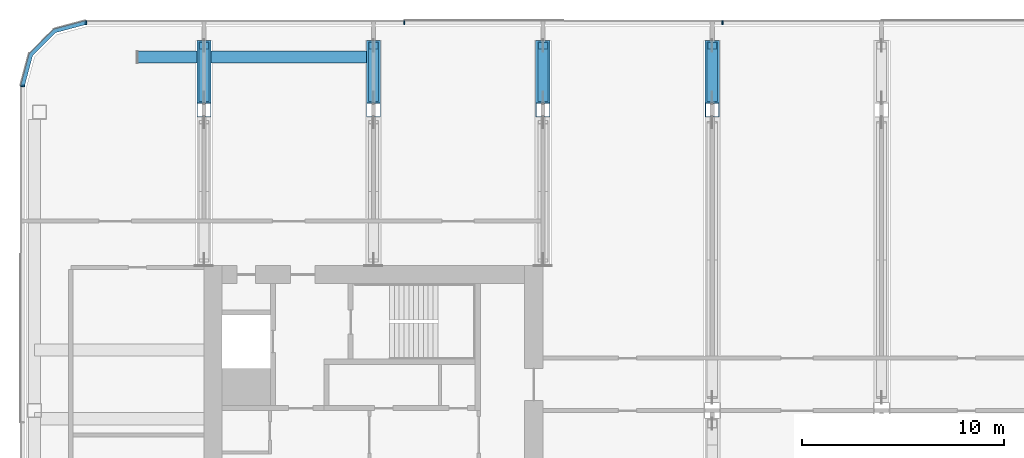
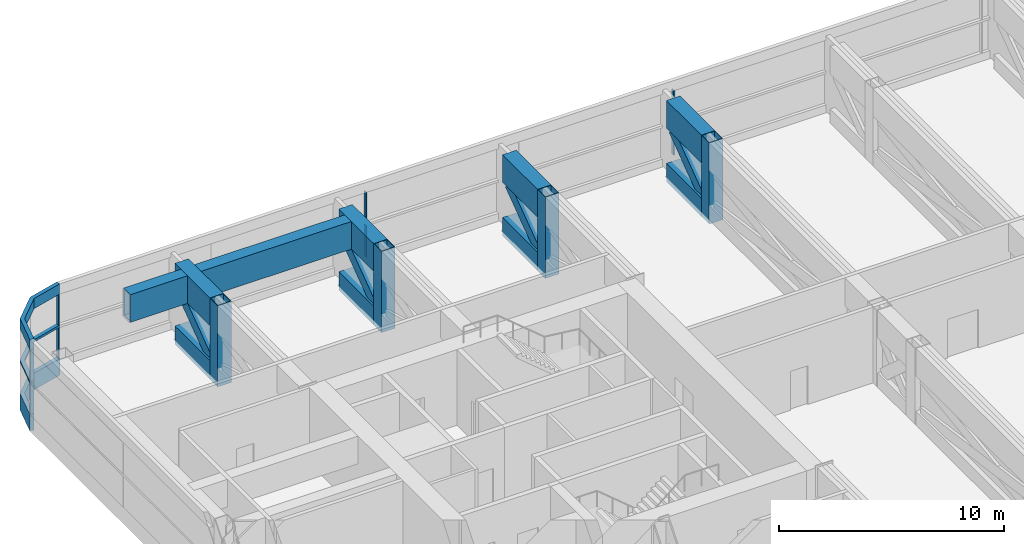
# One storey, part 8 of 33: 27 members, 1 beam, 3 elements without a shape of their own.
"""IFC4 building model written with IfcOpenShell, lengths in metres."""

from ifc_helpers import new_model, si_unit, direction, frame, origin, origin_2d, place, context, subcontext, project, spatial, polyline, rectangle, hollow_rectangle, outline, extrude, material, layer, layer_set, material_profile, profile_set, type_object, element, aggregate, save


model = new_model("IFC4")

# Units and contexts
model_context = context("Model", 3, precision=1e-05, world=origin(), true_north=direction((0.0, 1.0)))
body_context = subcontext(model_context, "Body", "Model", "MODEL_VIEW")
ifc_project = project(units=[si_unit("LENGTHUNIT", "METRE"), si_unit("AREAUNIT", "SQUARE_METRE"), si_unit("VOLUMEUNIT", "CUBIC_METRE"), si_unit("PLANEANGLEUNIT", "RADIAN"), si_unit("MASSUNIT", "GRAM", prefix="KILO")], contexts=[model_context])

# Site, building, storey
site_placement = place(None, origin())
site = spatial("IfcSite", under=ifc_project, at=site_placement, CompositionType="ELEMENT")
building_placement = place(site_placement, origin())
building = spatial("IfcBuilding", under=site, at=building_placement, Name="Hakoniwa Tower and Hamabe Station Hall", CompositionType="ELEMENT")
storey_placement = place(building_placement, frame((0.0, 0.0, 175.800048828125)))
storey = spatial("IfcBuildingStorey", under=building, at=storey_placement, Name="L50", CompositionType="ELEMENT", Elevation=175.800048828125)

# Curtain wall, members
ifc_material_1 = material(Name="Dark low-e laminated glass", Category="glass")
ifc_layer = layer(ifc_material_1, 0.199951171875)
ifc_layer_set = layer_set([ifc_layer], Name="CW-6 PLANT LOUVRE")
curtain_wall_type = type_object("IfcCurtainWallType", Name="CW-6 PLANT LOUVRE", PredefinedType="NOTDEFINED", material=ifc_layer_set)
curtain_wall_1_placement = place(storey_placement, origin())
curtain_wall_1 = element("IfcCurtainWall", 1, at=curtain_wall_1_placement, inside=storey, type_object=curtain_wall_type, Name="CW-6 curtain wall", PredefinedType="NOTDEFINED")
ifc_material_2 = material(Name="Aluminium 6063-T5 black anodised", Category="aluminium")
ifc_material_profile_1 = material_profile(ifc_material_2, rectangle(XDim=0.199951171875, YDim=0.550048828125, at=origin_2d()), Name="CW HEAD BAND 550X200")
ifc_profile_set_1 = profile_set([ifc_material_profile_1], Name="Aluminium 6063-T5 black anodised")
member_type_1 = type_object("IfcMemberType", Name="CW HEAD BAND 550X200", PredefinedType="USERDEFINED", material=ifc_profile_set_1)
member_1_placement = place(storey_placement, frame((0.0, 0.0, 3.849853515625)))
member_1 = element("IfcMember", 2, at=member_1_placement, type_object=member_type_1, Name="CW-6 transom", ObjectType="TRANSOM", PredefinedType="USERDEFINED", context=body_context, shape_type="SweptSolid", body=[
    extrude(outline(polyline([(-39.439453125, 20.550048828125), (-41.05517578125, 20.116943359375), (-42.26708984375, 18.9052734375), (-42.699951171875, 17.28955078125), (-42.5068359375, 17.23779296875), (-42.087646484375, 18.8017578125), (-40.95166015625, 19.937744140625), (-39.3876953125, 20.35693359375), (-39.439453125, 20.550048828125)])), origin(), (0.0, 0.0, 1.0), 0.550048828125),
])
ifc_material_3 = material(Name="Aluminium 6063-T5 black anodised", Category="aluminium")
ifc_material_profile_2 = material_profile(ifc_material_3, rectangle(XDim=0.199951171875, YDim=0.1201171875, at=origin_2d()), Name="CW MID TRANSOM 120X200")
ifc_profile_set_2 = profile_set([ifc_material_profile_2], Name="Aluminium 6063-T5 black anodised")
member_type_2 = type_object("IfcMemberType", Name="CW MID TRANSOM 120X200", PredefinedType="USERDEFINED", material=ifc_profile_set_2)
member_2_placement = place(storey_placement, frame((0.0, 0.0, 2.0400390625)))
member_2 = element("IfcMember", 3, at=member_2_placement, type_object=member_type_2, Name="CW-6 transom", ObjectType="TRANSOM", PredefinedType="USERDEFINED", context=body_context, shape_type="SweptSolid", body=[
    extrude(outline(polyline([(-39.439453125, 20.550048828125), (-41.05517578125, 20.116943359375), (-42.26708984375, 18.9052734375), (-42.699951171875, 17.28955078125), (-42.5068359375, 17.23779296875), (-42.087646484375, 18.8017578125), (-40.95166015625, 19.937744140625), (-39.3876953125, 20.35693359375), (-39.439453125, 20.550048828125)])), origin(), (0.0, 0.0, 1.0), 0.119873046875),
])
ifc_material_4 = material(Name="Aluminium 6063-T5 black anodised", Category="aluminium")
ifc_material_profile_3 = material_profile(ifc_material_4, rectangle(XDim=0.199951171875, YDim=0.89990234375, at=origin_2d()), Name="CW SLAB-EDGE BAND 900X200")
ifc_profile_set_3 = profile_set([ifc_material_profile_3], Name="Aluminium 6063-T5 black anodised")
member_type_3 = type_object("IfcMemberType", Name="CW SLAB-EDGE BAND 900X200", PredefinedType="USERDEFINED", material=ifc_profile_set_3)
member_3_placement = place(storey_placement, frame((0.0, 0.0, -0.550048828125)))
member_3 = element("IfcMember", 4, at=member_3_placement, type_object=member_type_3, Name="CW-6 transom", ObjectType="TRANSOM", PredefinedType="USERDEFINED", context=body_context, shape_type="SweptSolid", body=[
    extrude(outline(polyline([(-39.439453125, 20.550048828125), (-41.05517578125, 20.116943359375), (-42.26708984375, 18.9052734375), (-42.699951171875, 17.28955078125), (-42.5068359375, 17.23779296875), (-42.087646484375, 18.8017578125), (-40.95166015625, 19.937744140625), (-39.3876953125, 20.35693359375), (-39.439453125, 20.550048828125)])), origin(), (0.0, 0.0, 1.0), 0.89990234375),
])
aggregate(curtain_wall_1, [member_3, member_2, member_1])

curtain_wall_2_placement = place(storey_placement, origin())
curtain_wall_2 = element("IfcCurtainWall", 5, at=curtain_wall_2_placement, inside=storey, type_object=curtain_wall_type, Name="CW-6 curtain wall", PredefinedType="NOTDEFINED")
ifc_material_5 = material(Name="Aluminium 6063-T5 black anodised", Category="aluminium")
ifc_material_profile_4 = material_profile(ifc_material_5, rectangle(XDim=0.06005859375, YDim=0.179931640625, at=origin_2d()), Name="CW-1 MULLION 60X180")
ifc_profile_set_4 = profile_set([ifc_material_profile_4], Name="Aluminium 6063-T5 black anodised")
member_type_4 = type_object("IfcMemberType", Name="CW-1 MULLION 60X180", PredefinedType="MULLION", material=ifc_profile_set_4)
member_4_placement = place(storey_placement, frame((-7.887939453125, 20.431884765625, 0.349853515625), z_axis=(0.0, 0.0, 1.0), x_axis=(-1.0, 0.0, 0.0)))
member_4 = element("IfcMember", 6, at=member_4_placement, type_object=member_type_4, Name="CW-6 mullion", PredefinedType="MULLION", context=body_context, shape_type="SweptSolid", body=[
    extrude(rectangle(XDim=0.06005859375, YDim=0.179931640625, at=origin_2d()), origin(), (0.0, 0.0, 1.0), 1.690185546875),
])
member_5_placement = place(storey_placement, frame((-7.887939453125, 20.431884765625, 2.159912109375), z_axis=(0.0, 0.0, 1.0), x_axis=(-1.0, 0.0, 0.0)))
member_5 = element("IfcMember", 7, at=member_5_placement, type_object=member_type_4, Name="CW-6 mullion", PredefinedType="MULLION", context=body_context, shape_type="SweptSolid", body=[
    extrude(rectangle(XDim=0.06005859375, YDim=0.179931640625, at=origin_2d()), origin(), (0.0, 0.0, 1.0), 1.68994140625),
])
member_6_placement = place(storey_placement, frame((-23.663818359375, 20.431884765625, 0.349853515625), z_axis=(0.0, 0.0, 1.0), x_axis=(-1.0, 0.0, 0.0)))
member_6 = element("IfcMember", 8, at=member_6_placement, type_object=member_type_4, Name="CW-6 mullion", PredefinedType="MULLION", context=body_context, shape_type="SweptSolid", body=[
    extrude(rectangle(XDim=0.06005859375, YDim=0.179931640625, at=origin_2d()), origin(), (0.0, 0.0, 1.0), 1.690185546875),
])
member_7_placement = place(storey_placement, frame((-23.663818359375, 20.431884765625, 2.159912109375), z_axis=(0.0, 0.0, 1.0), x_axis=(-1.0, 0.0, 0.0)))
member_7 = element("IfcMember", 9, at=member_7_placement, type_object=member_type_4, Name="CW-6 mullion", PredefinedType="MULLION", context=body_context, shape_type="SweptSolid", body=[
    extrude(rectangle(XDim=0.06005859375, YDim=0.179931640625, at=origin_2d()), origin(), (0.0, 0.0, 1.0), 1.68994140625),
])
member_8_placement = place(storey_placement, frame((-39.439453125, 20.431884765625, 0.349853515625), z_axis=(0.0, 0.0, 1.0), x_axis=(-1.0, 0.0, 0.0)))
member_8 = element("IfcMember", 10, at=member_8_placement, type_object=member_type_4, Name="CW-6 mullion", PredefinedType="MULLION", context=body_context, shape_type="SweptSolid", body=[
    extrude(rectangle(XDim=0.06005859375, YDim=0.179931640625, at=origin_2d()), origin(), (0.0, 0.0, 1.0), 1.690185546875),
])
member_9_placement = place(storey_placement, frame((-39.439453125, 20.431884765625, 2.159912109375), z_axis=(0.0, 0.0, 1.0), x_axis=(-1.0, 0.0, 0.0)))
member_9 = element("IfcMember", 11, at=member_9_placement, type_object=member_type_4, Name="CW-6 mullion", PredefinedType="MULLION", context=body_context, shape_type="SweptSolid", body=[
    extrude(rectangle(XDim=0.06005859375, YDim=0.179931640625, at=origin_2d()), origin(), (0.0, 0.0, 1.0), 1.68994140625),
])
aggregate(curtain_wall_2, [member_4, member_5, member_6, member_7, member_8, member_9])

curtain_wall_3_placement = place(storey_placement, origin())
curtain_wall_3 = element("IfcCurtainWall", 12, at=curtain_wall_3_placement, inside=storey, type_object=curtain_wall_type, Name="CW-6 curtain wall", PredefinedType="NOTDEFINED")
member_10_placement = place(storey_placement, frame((-42.58203125, 17.28955078125, 0.349853515625), z_axis=(0.0, 0.0, 1.0), x_axis=(0.0, -1.0, 0.0)))
member_10 = element("IfcMember", 13, at=member_10_placement, type_object=member_type_4, Name="CW-6 mullion", PredefinedType="MULLION", context=body_context, shape_type="SweptSolid", body=[
    extrude(rectangle(XDim=0.06005859375, YDim=0.179931640625, at=origin_2d()), origin(), (0.0, 0.0, 1.0), 1.690185546875),
])
member_11_placement = place(storey_placement, frame((-42.58203125, 17.28955078125, 2.159912109375), z_axis=(0.0, 0.0, 1.0), x_axis=(0.0, -1.0, 0.0)))
member_11 = element("IfcMember", 14, at=member_11_placement, type_object=member_type_4, Name="CW-6 mullion", PredefinedType="MULLION", context=body_context, shape_type="SweptSolid", body=[
    extrude(rectangle(XDim=0.06005859375, YDim=0.179931640625, at=origin_2d()), origin(), (0.0, 0.0, 1.0), 1.68994140625),
])
aggregate(curtain_wall_3, [member_10, member_11])

# Beam
ifc_material_6 = material(Name="Steel SN490C", Category="steel")
ifc_material_profile_5 = material_profile(ifc_material_6, hollow_rectangle(XDim=0.60009765625, YDim=1.5, WallThickness=0.054931640625, at=origin_2d()), Name="BX-1500x600x55")
ifc_profile_set_5 = profile_set([ifc_material_profile_5], Name="Steel SN490C")
beam_type = type_object("IfcBeamType", Name="TRANSFER GIRDER BX-1500x600x55", PredefinedType="BEAM", material=ifc_profile_set_5)
beam_placement = place(storey_placement, frame((-36.8779296875, 18.72802734375, 3.349853515625), z_axis=(1.0, 0.0, 0.0), x_axis=(0.0, 1.0, 0.0)))
element("IfcBeam", 15, at=beam_placement, inside=storey, type_object=beam_type, Name="Truss L50-XG7", PredefinedType="BEAM", context=body_context, shape_type="SweptSolid", body=[
    extrude(hollow_rectangle(XDim=0.60009765625, YDim=1.5, WallThickness=0.054931640625, at=origin_2d()), origin(), (0.0, 0.0, 1.0), 11.677978515625),
])

# Members
ifc_material_7 = material(Name="Steel SN490C", Category="steel")
ifc_material_profile_6 = material_profile(ifc_material_7, hollow_rectangle(XDim=0.699951171875, YDim=1.0, WallThickness=0.0400390625, at=origin_2d()), Name="BX-1000x700x40")
ifc_profile_set_6 = profile_set([ifc_material_profile_6], Name="Steel SN490C")
member_type_5 = type_object("IfcMemberType", Name="TRUSS CHORD BX-1000x700x40", PredefinedType="CHORD", material=ifc_profile_set_6)
for number, where, z_axis, x_axis, name in (
    (16, (-33.60009765625, 16.449951171875, 0.199951171875), (0.0, 1.0, 0.0), (-1.0, 0.0, 0.0), "Truss T3-06-BCH"),
    (17, (-25.199951171875, 16.449951171875, 0.199951171875), (0.0, 1.0, 0.0), (-1.0, 0.0, 0.0), "Truss T3-08-BCH"),
    (18, (-16.800048828125, 16.449951171875, 0.199951171875), (0.0, 1.0, 0.0), (-1.0, 0.0, 0.0), "Truss T3-10-BCH"),
    (19, (-8.39990234375, 16.449951171875, 0.199951171875), (0.0, 1.0, 0.0), (-1.0, 0.0, 0.0), "Truss T3-11-BCH"),
):
    element("IfcMember", number, at=place(storey_placement, frame(where, z_axis=z_axis, x_axis=x_axis)), inside=storey, type_object=member_type_5, Name=name, PredefinedType="CHORD", context=body_context, shape_type="SweptSolid", body=[
        extrude(hollow_rectangle(XDim=0.699951171875, YDim=1.0, WallThickness=0.0400390625, at=origin_2d()), origin(), (0.0, 0.0, 1.0), 3.10009765625),
    ])
ifc_material_8 = material(Name="Steel SN490C", Category="steel")
ifc_material_profile_7 = material_profile(ifc_material_8, hollow_rectangle(XDim=0.699951171875, YDim=1.5, WallThickness=0.054931640625, at=origin_2d()), Name="BX-1500x700x55")
ifc_profile_set_7 = profile_set([ifc_material_profile_7], Name="Steel SN490C")
member_type_6 = type_object("IfcMemberType", Name="TRUSS CHORD BX-1500x700x55", PredefinedType="CHORD", material=ifc_profile_set_7)
for number, where, z_axis, x_axis, name in (
    (20, (-33.60009765625, 16.449951171875, 3.349853515625), (0.0, 1.0, 0.0), (-1.0, 0.0, 0.0), "Truss T3-06-TCH"),
    (21, (-25.199951171875, 16.449951171875, 3.349853515625), (0.0, 1.0, 0.0), (-1.0, 0.0, 0.0), "Truss T3-08-TCH"),
    (22, (-16.800048828125, 16.449951171875, 3.349853515625), (0.0, 1.0, 0.0), (-1.0, 0.0, 0.0), "Truss T3-10-TCH"),
    (23, (-8.39990234375, 16.449951171875, 3.349853515625), (0.0, 1.0, 0.0), (-1.0, 0.0, 0.0), "Truss T3-11-TCH"),
):
    element("IfcMember", number, at=place(storey_placement, frame(where, z_axis=z_axis, x_axis=x_axis)), inside=storey, type_object=member_type_6, Name=name, PredefinedType="CHORD", context=body_context, shape_type="SweptSolid", body=[
        extrude(hollow_rectangle(XDim=0.699951171875, YDim=1.5, WallThickness=0.054931640625, at=origin_2d()), origin(), (0.0, 0.0, 1.0), 3.10009765625),
    ])
ifc_material_9 = material(Name="Steel SN490C", Category="steel")
ifc_material_profile_8 = material_profile(ifc_material_9, hollow_rectangle(XDim=0.5, YDim=0.60009765625, WallThickness=0.028076171875, at=origin_2d()), Name="BX-600x500x28")
ifc_profile_set_8 = profile_set([ifc_material_profile_8], Name="Steel SN490C")
member_type_7 = type_object("IfcMemberType", Name="TRUSS DIAGONAL BX-600x500x28", PredefinedType="BRACE", material=ifc_profile_set_8)
for number, where, z_axis, x_axis, name in (
    (24, (-33.60009765625, 16.699951171875, 0.699951171875), (0.0, 0.807416124708, 0.589982373942), (-1.0, 0.0, 0.0), "Truss T3-06-DHa"),
    (25, (-25.199951171875, 16.699951171875, 0.699951171875), (0.0, 0.807416124708, 0.589982373942), (-1.0, 0.0, 0.0), "Truss T3-08-DHa"),
    (26, (-16.800048828125, 16.699951171875, 0.699951171875), (0.0, 0.807416124708, 0.589982373942), (-1.0, 0.0, 0.0), "Truss T3-10-DHa"),
    (27, (-8.39990234375, 16.699951171875, 0.699951171875), (0.0, 0.807416124708, 0.589982373942), (-1.0, 0.0, 0.0), "Truss T3-11-DHa"),
):
    element("IfcMember", number, at=place(storey_placement, frame(where, z_axis=z_axis, x_axis=x_axis)), inside=storey, type_object=member_type_7, Name=name, PredefinedType="BRACE", context=body_context, shape_type="SweptSolid", body=[
        extrude(hollow_rectangle(XDim=0.5, YDim=0.60009765625, WallThickness=0.028076171875, at=origin_2d()), origin(), (0.0, 0.0, 1.0), 3.22021484375),
    ])
ifc_material_10 = material(Name="Steel SN490C", Category="steel")
ifc_material_profile_9 = material_profile(ifc_material_10, hollow_rectangle(XDim=0.699951171875, YDim=0.699951171875, WallThickness=0.028076171875, at=origin_2d()), Name="BX-700x700x28")
ifc_profile_set_9 = profile_set([ifc_material_profile_9], Name="Steel SN490C")
member_type_8 = type_object("IfcMemberType", Name="TRUSS POST BX-700x700x28", PredefinedType="POST", material=ifc_profile_set_9)
for number, where, z_axis, x_axis, name in (
    (28, (-33.60009765625, 16.10009765625, -0.300048828125), (0.0, 0.0, 1.0), (1.0, 0.0, 0.0), "Truss T3-06-P02"),
    (29, (-25.199951171875, 16.10009765625, -0.300048828125), (0.0, 0.0, 1.0), (1.0, 0.0, 0.0), "Truss T3-08-P02"),
    (30, (-16.800048828125, 16.10009765625, -0.300048828125), (0.0, 0.0, 1.0), (1.0, 0.0, 0.0), "Truss T3-10-P02"),
    (31, (-8.39990234375, 16.10009765625, -0.300048828125), (0.0, 0.0, 1.0), (1.0, 0.0, 0.0), "Truss T3-11-P04"),
):
    element("IfcMember", number, at=place(storey_placement, frame(where, z_axis=z_axis, x_axis=x_axis)), inside=storey, type_object=member_type_8, Name=name, PredefinedType="POST", context=body_context, shape_type="SweptSolid", body=[
        extrude(hollow_rectangle(XDim=0.699951171875, YDim=0.699951171875, WallThickness=0.028076171875, at=origin_2d()), origin(), (0.0, 0.0, 1.0), 4.39990234375),
    ])

save(model, "model.ifc")
